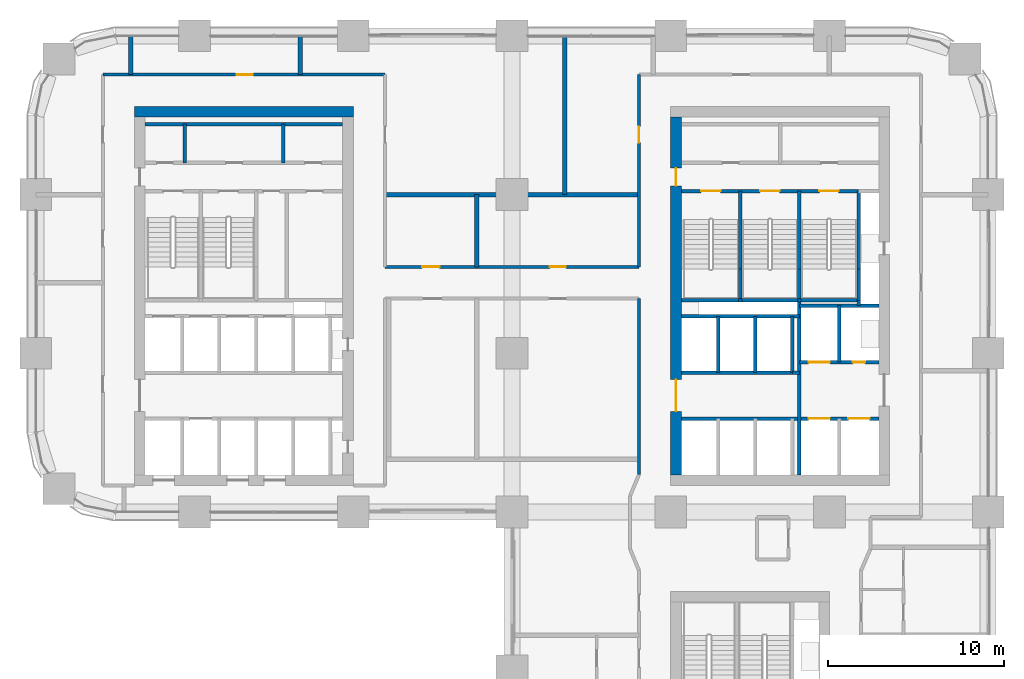
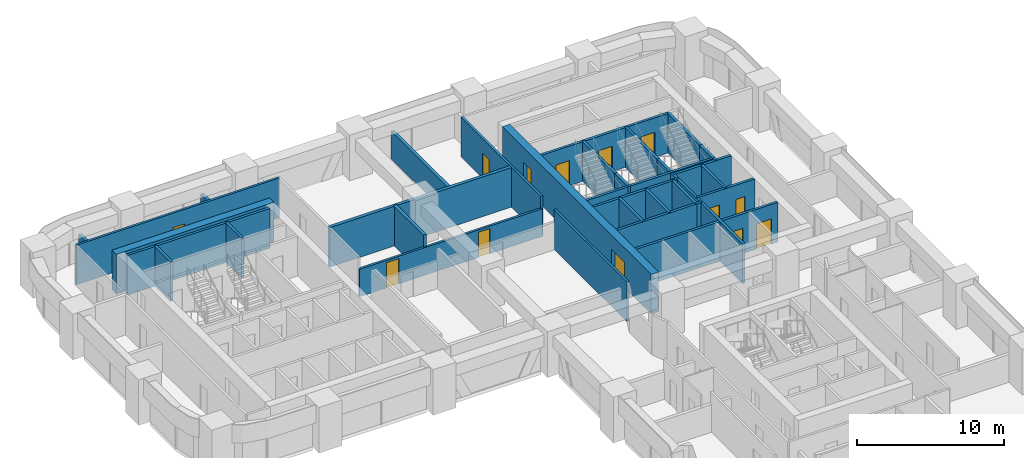
# One storey, part 16 of 20: 38 walls, 13 doors, 13 openings.
"""IFC4 building model written with IfcOpenShell, lengths in metres."""

from ifc_helpers import new_model, si_unit, direction, frame, frame_2d, origin, place, context, subcontext, project, spatial, rectangle, extrude, material, layer, layer_set, type_object, element, fill, save


model = new_model("IFC4")

# Units and contexts
model_context = context("Model", 3, precision=1e-05, world=origin(), true_north=direction((0.0, 1.0)))
body_context = subcontext(model_context, "Body", "Model", "MODEL_VIEW")
ifc_project = project(units=[si_unit("LENGTHUNIT", "METRE"), si_unit("AREAUNIT", "SQUARE_METRE"), si_unit("VOLUMEUNIT", "CUBIC_METRE"), si_unit("PLANEANGLEUNIT", "RADIAN"), si_unit("MASSUNIT", "GRAM", prefix="KILO")], contexts=[model_context])

# Site, building, storey
site_placement = place(None, origin())
site = spatial("IfcSite", under=ifc_project, at=site_placement, CompositionType="ELEMENT")
building_placement = place(site_placement, origin())
building = spatial("IfcBuilding", under=site, at=building_placement, Name="Tessera Arch", CompositionType="ELEMENT")
storey_placement = place(building_placement, frame((0.0, 0.0, 119.60009765625)))
storey = spatial("IfcBuildingStorey", under=building, at=storey_placement, Name="L28", CompositionType="ELEMENT", Elevation=119.60009765625)

# Walls
ifc_material_1 = material(Name="Gypsum board on steel stud", Category="steel")
ifc_layer_1 = layer(ifc_material_1, 0.125)
ifc_layer_set_1 = layer_set([ifc_layer_1], Name="Core partition 125 EI 60")
wall_type_1 = type_object("IfcWallType", Name="Core partition 125 EI 60", PredefinedType="PARTITIONING", material=ifc_layer_set_1)
wall_1_placement = place(storey_placement, frame((42.89990234375, 34.89990234375, 0.0), z_axis=(0.0, 0.0, 1.0), x_axis=(1.0, 0.0, 0.0)))
element("IfcWall", 1, at=wall_1_placement, inside=storey, type_object=wall_type_1, Name="L28 C1 partition wall 19", PredefinedType="PARTITIONING", context=body_context, shape_type="SweptSolid", body=[
    extrude(rectangle(XDim=0.400146484375, YDim=0.199951171875, at=frame_2d((0.2001953125, 0.0))), origin(), (0.0, 0.0, 1.0), 3.2998046875),
])
for number, where, z_axis, x_axis, name in (
    (2, (8.43994140625, 46.800048828125, 0.0), (0.0, 0.0, 1.0), (0.0, 1.0, 0.0), "L28 C2 partition wall 3"),
    (3, (14.0400390625, 46.800048828125, 0.0), (0.0, 0.0, 1.0), (0.0, 1.0, 0.0), "L28 C2 partition wall 12"),
):
    element("IfcWall", number, at=place(storey_placement, frame(where, z_axis=z_axis, x_axis=x_axis)), inside=storey, type_object=wall_type_1, Name=name, PredefinedType="PARTITIONING", context=body_context, shape_type="SweptSolid", body=[
        extrude(rectangle(XDim=2.199951171875, YDim=0.199951171875, at=frame_2d((1.10009765625, 0.0))), origin(), (0.0, 0.0, 1.0), 3.2998046875),
    ])
wall_2_placement = place(storey_placement, frame((6.199951171875, 49.0, 0.0), z_axis=(0.0, 0.0, 1.0), x_axis=(1.0, 0.0, 0.0)))
element("IfcWall", 4, at=wall_2_placement, inside=storey, type_object=wall_type_1, Name="L28 C2 partition wall 28", PredefinedType="PARTITIONING", context=body_context, shape_type="SweptSolid", body=[
    extrude(rectangle(XDim=11.199951171875, YDim=0.199951171875, at=frame_2d((5.60009765625, 0.0))), origin(), (0.0, 0.0, 1.0), 3.2998046875),
])

# Wall, openings, doors
ifc_material_2 = material(Name="Concrete C70/85", Category="concrete")
ifc_layer_2 = layer(ifc_material_2, 0.60009765625)
ifc_layer_set_2 = layer_set([ifc_layer_2], Name="Core shell wall 600 C70-85")
wall_type_2 = type_object("IfcWallType", Name="Core shell wall 600 C70-85", PredefinedType="SHEAR", material=ifc_layer_set_2)
wall_3_placement = place(storey_placement, frame((36.300048828125, 29.10009765625, 0.0), z_axis=(0.0, 0.0, 1.0), x_axis=(0.0, 1.0, 0.0)))
wall_3 = element("IfcWall", 5, at=wall_3_placement, inside=storey, type_object=wall_type_2, Name="L28 C1 core wall W", PredefinedType="SHEAR", context=body_context, shape_type="SweptSolid", body=[
    extrude(rectangle(XDim=20.2998046875, YDim=0.60009765625, at=frame_2d((10.14990234375, 0.0))), origin(), (0.0, 0.0, 1.0), 3.2998046875),
])
opening_1_placement = place(wall_3_placement, frame((3.60009765625, 0.0, 0.0)))
opening_1 = element("IfcOpeningElement", 6, at=opening_1_placement, cuts=wall_3, Name="Opening L28-C04", PredefinedType="OPENING", context=body_context, shape_type="SweptSolid", body=[
    extrude(rectangle(XDim=1.800048828125, YDim=2.10009765625, at=frame_2d((0.89990234375, 1.050048828125))), frame((0.0, 0.31005859375, 0.0), z_axis=(0.0, -1.0, 0.0), x_axis=(1.0, 0.0, 0.0)), (0.0, 0.0, 1.0), 0.6201171875),
])
opening_2_placement = place(wall_3_placement, frame((16.39990234375, 0.0, 0.0)))
opening_2 = element("IfcOpeningElement", 7, at=opening_2_placement, cuts=wall_3, Name="Opening L28-C11", PredefinedType="OPENING", context=body_context, shape_type="SweptSolid", body=[
    extrude(rectangle(XDim=1.0, YDim=2.10009765625, at=frame_2d((0.5, 1.050048828125))), frame((0.0, 0.31005859375, 0.0), z_axis=(0.0, -1.0, 0.0), x_axis=(1.0, 0.0, 0.0)), (0.0, 0.0, 1.0), 0.6201171875),
])
ifc_material_3 = material(Name="Steel door leaf", Category="steel")
door_type_1 = type_object("IfcDoorType", Name="Corridor door FD60 1000 x 2100", OperationType="SINGLE_SWING_LEFT", PredefinedType="DOOR", material=ifc_material_3)
door_1_placement = place(opening_2_placement, origin())
door_1 = element("IfcDoor", 8, at=door_1_placement, inside=storey, type_object=door_type_1, Name="L28 C1 door 11 C11 type D12", OperationType="SINGLE_SWING_RIGHT", OverallHeight=2.10009765625, OverallWidth=1.0, PredefinedType="DOOR", context=body_context, shape_type="SweptSolid", body=[
    extrude(rectangle(XDim=1.0, YDim=2.10009765625, at=frame_2d((0.5, 1.050048828125))), frame((0.0, 0.02490234375, 0.0), z_axis=(0.0, -1.0, 0.0), x_axis=(1.0, 0.0, 0.0)), (0.0, 0.0, 1.0), 0.050048828125),
])
fill(opening_2, door_1)
ifc_material_4 = material(Name="Glazed steel door leaf", Category="steel")
door_type_2 = type_object("IfcDoorType", Name="Lobby double door FD30S 1800 x 2100", OperationType="DOUBLE_DOOR_SINGLE_SWING", PredefinedType="DOOR", material=ifc_material_4)
door_2_placement = place(opening_1_placement, origin())
door_2 = element("IfcDoor", 9, at=door_2_placement, inside=storey, type_object=door_type_2, Name="L28 C1 door 4 C04 type D06", OperationType="DOUBLE_DOOR_SINGLE_SWING", OverallHeight=2.10009765625, OverallWidth=1.800048828125, PredefinedType="DOOR", context=body_context, shape_type="SweptSolid", body=[
    extrude(rectangle(XDim=1.800048828125, YDim=2.10009765625, at=frame_2d((0.89990234375, 1.050048828125))), frame((0.0, 0.02490234375, 0.0), z_axis=(0.0, -1.0, 0.0), x_axis=(1.0, 0.0, 0.0)), (0.0, 0.0, 1.0), 0.050048828125),
])
fill(opening_1, door_2)

# Wall
wall_4_placement = place(storey_placement, frame((5.60009765625, 49.699951171875, 0.0), z_axis=(0.0, 0.0, 1.0), x_axis=(1.0, 0.0, 0.0)))
element("IfcWall", 10, at=wall_4_placement, inside=storey, type_object=wall_type_2, Name="L28 C2 core wall N", PredefinedType="SHEAR", context=body_context, shape_type="SweptSolid", body=[
    extrude(rectangle(XDim=12.39990234375, YDim=0.60009765625, at=frame_2d((6.199951171875, 0.0))), origin(), (0.0, 0.0, 1.0), 3.2998046875),
])

# Wall, openings, doors
ifc_material_5 = material(Name="Gypsum board on deep steel stud with mineral wool", Category="steel")
ifc_layer_3 = layer(ifc_material_5, 0.175048828125)
ifc_layer_set_3 = layer_set([ifc_layer_3], Name="Corridor wall 175 EI 60")
wall_type_3 = type_object("IfcWallType", Name="Corridor wall 175 EI 60", PredefinedType="PARTITIONING", material=ifc_layer_set_3)
wall_5_placement = place(storey_placement, frame((19.800048828125, 40.89990234375, 0.0), z_axis=(0.0, 0.0, 1.0), x_axis=(1.0, 0.0, 0.0)))
wall_5 = element("IfcWall", 11, at=wall_5_placement, inside=storey, type_object=wall_type_3, Name="L28 partition 8", PredefinedType="PARTITIONING", context=body_context, shape_type="SweptSolid", body=[
    extrude(rectangle(XDim=14.39990234375, YDim=0.175048828125, at=frame_2d((7.199951171875, 0.0))), origin(), (0.0, 0.0, 1.0), 2.2998046875),
])
opening_3_placement = place(wall_5_placement, frame((2.10009765625, 0.0, 0.0)))
opening_3 = element("IfcOpeningElement", 12, at=opening_3_placement, cuts=wall_5, Name="Opening L28-D026", PredefinedType="OPENING", context=body_context, shape_type="SweptSolid", body=[
    extrude(rectangle(XDim=1.0, YDim=2.10009765625, at=frame_2d((0.5, 1.050048828125))), frame((0.0, 0.097412109375, 0.0), z_axis=(0.0, -1.0, 0.0), x_axis=(1.0, 0.0, 0.0)), (0.0, 0.0, 1.0), 0.195068359375),
])
opening_4_placement = place(wall_5_placement, frame((9.35009765625, 0.0, 0.0)))
opening_4 = element("IfcOpeningElement", 13, at=opening_4_placement, cuts=wall_5, Name="Opening L28-D027", PredefinedType="OPENING", context=body_context, shape_type="SweptSolid", body=[
    extrude(rectangle(XDim=0.89990234375, YDim=2.10009765625, at=frame_2d((0.449951171875, 1.050048828125))), frame((0.0, 0.097412109375, 0.0), z_axis=(0.0, -1.0, 0.0), x_axis=(1.0, 0.0, 0.0)), (0.0, 0.0, 1.0), 0.195068359375),
])
ifc_material_6 = material(Name="Fire-rated door leaf")
door_type_3 = type_object("IfcDoorType", Name="Entrance door FD30S 1000 x 2100", OperationType="SINGLE_SWING_LEFT", PredefinedType="DOOR", material=ifc_material_6)
door_3_placement = place(opening_3_placement, origin())
door_3 = element("IfcDoor", 14, at=door_3_placement, inside=storey, type_object=door_type_3, Name="L28 door D026 type D03", OperationType="SINGLE_SWING_LEFT", OverallHeight=2.10009765625, OverallWidth=1.0, PredefinedType="DOOR", context=body_context, shape_type="SweptSolid", body=[
    extrude(rectangle(XDim=1.0, YDim=2.10009765625, at=frame_2d((0.5, 1.050048828125))), frame((0.0, 0.02490234375, 0.0), z_axis=(0.0, -1.0, 0.0), x_axis=(1.0, 0.0, 0.0)), (0.0, 0.0, 1.0), 0.050048828125),
])
fill(opening_3, door_3)
ifc_material_7 = material(Name="Timber door leaf", Category="wood")
door_type_4 = type_object("IfcDoorType", Name="Room door 900 x 2100", OperationType="SINGLE_SWING_LEFT", PredefinedType="DOOR", material=ifc_material_7)
door_4_placement = place(opening_4_placement, origin())
door_4 = element("IfcDoor", 15, at=door_4_placement, inside=storey, type_object=door_type_4, Name="L28 door D027 type D01", OperationType="SINGLE_SWING_RIGHT", OverallHeight=2.10009765625, OverallWidth=0.89990234375, PredefinedType="DOOR", context=body_context, shape_type="SweptSolid", body=[
    extrude(rectangle(XDim=0.89990234375, YDim=2.10009765625, at=frame_2d((0.449951171875, 1.050048828125))), frame((0.0, 0.02490234375, 0.0), z_axis=(0.0, -1.0, 0.0), x_axis=(1.0, 0.0, 0.0)), (0.0, 0.0, 1.0), 0.050048828125),
])
fill(opening_4, door_4)

# Wall, opening, door
wall_6_placement = place(storey_placement, frame((3.800048828125, 51.800048828125, 0.0), z_axis=(0.0, 0.0, 1.0), x_axis=(1.0, 0.0, 0.0)))
wall_6 = element("IfcWall", 16, at=wall_6_placement, inside=storey, type_object=wall_type_3, Name="L28 partition 9", PredefinedType="PARTITIONING", context=body_context, shape_type="SweptSolid", body=[
    extrude(rectangle(XDim=16.0, YDim=0.175048828125, at=frame_2d((8.0, 0.0))), origin(), (0.0, 0.0, 1.0), 3.2998046875),
])
opening_5_placement = place(wall_6_placement, frame((7.587158203125, 0.0, 0.0)))
opening_5 = element("IfcOpeningElement", 17, at=opening_5_placement, cuts=wall_6, Name="Opening L28-D032", PredefinedType="OPENING", context=body_context, shape_type="SweptSolid", body=[
    extrude(rectangle(XDim=0.89990234375, YDim=2.10009765625, at=frame_2d((0.449951171875, 1.050048828125))), frame((0.0, 0.097412109375, 0.0), z_axis=(0.0, -1.0, 0.0), x_axis=(1.0, 0.0, 0.0)), (0.0, 0.0, 1.0), 0.195068359375),
])
door_5_placement = place(opening_5_placement, origin())
door_5 = element("IfcDoor", 18, at=door_5_placement, inside=storey, type_object=door_type_4, Name="L28 door D032 type D01", OperationType="SINGLE_SWING_LEFT", OverallHeight=2.10009765625, OverallWidth=0.89990234375, PredefinedType="DOOR", context=body_context, shape_type="SweptSolid", body=[
    extrude(rectangle(XDim=0.89990234375, YDim=2.10009765625, at=frame_2d((0.449951171875, 1.050048828125))), frame((0.0, 0.02490234375, 0.0), z_axis=(0.0, -1.0, 0.0), x_axis=(1.0, 0.0, 0.0)), (0.0, 0.0, 1.0), 0.050048828125),
])
fill(opening_5, door_5)

# Wall
wall_7_placement = place(storey_placement, frame((34.199951171875, 29.1201171875, 0.0), z_axis=(0.0, 0.0, 1.0), x_axis=(0.0, 1.0, 0.0)))
element("IfcWall", 19, at=wall_7_placement, inside=storey, type_object=wall_type_3, Name="L28 partition 16", PredefinedType="PARTITIONING", context=body_context, shape_type="SweptSolid", body=[
    extrude(rectangle(XDim=9.97998046875, YDim=0.175048828125, at=frame_2d((4.989990234375, 0.0))), origin(), (0.0, 0.0, 1.0), 3.2998046875),
])

# Wall, opening, door
wall_8_placement = place(storey_placement, frame((34.199951171875, 40.89990234375, 0.0), z_axis=(0.0, 0.0, 1.0), x_axis=(0.0, 1.0, 0.0)))
wall_8 = element("IfcWall", 20, at=wall_8_placement, inside=storey, type_object=wall_type_3, Name="L28 partition 17", PredefinedType="PARTITIONING", context=body_context, shape_type="SweptSolid", body=[
    extrude(rectangle(XDim=10.900146484375, YDim=0.175048828125, at=frame_2d((5.4501953125, 0.0))), origin(), (0.0, 0.0, 1.0), 3.2998046875),
])
opening_6_placement = place(wall_8_placement, frame((7.050048828125, 0.0, 0.0)))
opening_6 = element("IfcOpeningElement", 21, at=opening_6_placement, cuts=wall_8, Name="Opening L28-D029", PredefinedType="OPENING", context=body_context, shape_type="SweptSolid", body=[
    extrude(rectangle(XDim=0.89990234375, YDim=2.10009765625, at=frame_2d((0.449951171875, 1.050048828125))), frame((0.0, 0.097412109375, 0.0), z_axis=(0.0, -1.0, 0.0), x_axis=(1.0, 0.0, 0.0)), (0.0, 0.0, 1.0), 0.195068359375),
])
door_6_placement = place(opening_6_placement, origin())
door_6 = element("IfcDoor", 22, at=door_6_placement, inside=storey, type_object=door_type_4, Name="L28 door D029 type D01", OperationType="SINGLE_SWING_RIGHT", OverallHeight=2.10009765625, OverallWidth=0.89990234375, PredefinedType="DOOR", context=body_context, shape_type="SweptSolid", body=[
    extrude(rectangle(XDim=0.89990234375, YDim=2.10009765625, at=frame_2d((0.449951171875, 1.050048828125))), frame((0.0, 0.02490234375, 0.0), z_axis=(0.0, -1.0, 0.0), x_axis=(1.0, 0.0, 0.0)), (0.0, 0.0, 1.0), 0.050048828125),
])
fill(opening_6, door_6)

# Walls
ifc_material_8 = material(Name="Double gypsum board on twin steel stud with acoustic mineral wool", Category="steel")
ifc_layer_4 = layer(ifc_material_8, 0.25)
ifc_layer_set_4 = layer_set([ifc_layer_4], Name="Party wall 250 EI 60")
wall_type_4 = type_object("IfcWallType", Name="Party wall 250 EI 60", PredefinedType="PARTITIONING", material=ifc_layer_set_4)
wall_9_placement = place(storey_placement, frame((19.800048828125, 45.0, 0.0), z_axis=(0.0, 0.0, 1.0), x_axis=(1.0, 0.0, 0.0)))
element("IfcWall", 23, at=wall_9_placement, inside=storey, type_object=wall_type_4, Name="L28 partition 38", PredefinedType="PARTITIONING", context=body_context, shape_type="SweptSolid", body=[
    extrude(rectangle(XDim=14.39990234375, YDim=0.25, at=frame_2d((7.199951171875, 0.0))), origin(), (0.0, 0.0, 1.0), 3.2998046875),
])
for number, where, z_axis, x_axis, name in (
    (24, (5.389892578125, 51.800048828125, 0.0), (0.0, 0.0, 1.0), (0.0, 1.0, 0.0), "L28 partition 41"),
    (25, (15.0, 51.800048828125, 0.0), (0.0, 0.0, 1.0), (0.0, 1.0, 0.0), "L28 partition 42"),
):
    element("IfcWall", number, at=place(storey_placement, frame(where, z_axis=z_axis, x_axis=x_axis)), inside=storey, type_object=wall_type_4, Name=name, PredefinedType="PARTITIONING", context=body_context, shape_type="SweptSolid", body=[
        extrude(rectangle(XDim=2.199951171875, YDim=0.25, at=frame_2d((1.10009765625, 0.0))), origin(), (0.0, 0.0, 1.0), 2.2998046875),
    ])
wall_10_placement = place(storey_placement, frame((25.0, 40.89990234375, 0.0), z_axis=(0.0, 0.0, 1.0), x_axis=(0.0, 1.0, 0.0)))
element("IfcWall", 26, at=wall_10_placement, inside=storey, type_object=wall_type_4, Name="L28 partition 45", PredefinedType="PARTITIONING", context=body_context, shape_type="SweptSolid", body=[
    extrude(rectangle(XDim=4.10009765625, YDim=0.25, at=frame_2d((2.050048828125, 0.0))), origin(), (0.0, 0.0, 1.0), 3.2998046875),
])
wall_11_placement = place(storey_placement, frame((30.0, 45.0, 0.0), z_axis=(0.0, 0.0, 1.0), x_axis=(0.0, 1.0, 0.0)))
element("IfcWall", 27, at=wall_11_placement, inside=storey, type_object=wall_type_4, Name="L28 partition 46", PredefinedType="PARTITIONING", context=body_context, shape_type="SweptSolid", body=[
    extrude(rectangle(XDim=9.0, YDim=0.25, at=frame_2d((4.5, 0.0))), origin(), (0.0, 0.0, 1.0), 2.2998046875),
])
ifc_material_9 = material(Name="Concrete C40/50", Category="concrete")
ifc_layer_5 = layer(ifc_material_9, 0.199951171875)
ifc_layer_set_5 = layer_set([ifc_layer_5], Name="Shaft wall 200 EI 120")
wall_type_5 = type_object("IfcWallType", Name="Shaft wall 200 EI 120", PredefinedType="SOLIDWALL", material=ifc_layer_set_5)
for number, where, z_axis, x_axis, name in (
    (28, (38.699951171875, 34.89990234375, 0.0), (0.0, 0.0, 1.0), (0.0, 1.0, 0.0), "L28 C1 shaft wall 2"),
    (29, (40.800048828125, 34.89990234375, 0.0), (0.0, 0.0, 1.0), (0.0, 1.0, 0.0), "L28 C1 shaft wall 6"),
    (30, (42.89990234375, 34.89990234375, 0.0), (0.0, 0.0, 1.0), (0.0, 1.0, 0.0), "L28 C1 shaft wall 9"),
):
    element("IfcWall", number, at=place(storey_placement, frame(where, z_axis=z_axis, x_axis=x_axis)), inside=storey, type_object=wall_type_5, Name=name, PredefinedType="SOLIDWALL", context=body_context, shape_type="SweptSolid", body=[
        extrude(rectangle(XDim=3.2001953125, YDim=0.199951171875, at=frame_2d((1.60009765625, 0.0))), origin(), (0.0, 0.0, 1.0), 3.2998046875),
    ])
wall_12_placement = place(storey_placement, frame((43.300048828125, 29.10009765625, 0.0), z_axis=(0.0, 0.0, 1.0), x_axis=(0.0, 1.0, 0.0)))
element("IfcWall", 31, at=wall_12_placement, inside=storey, type_object=wall_type_5, Name="L28 C1 shaft wall 10", PredefinedType="SOLIDWALL", context=body_context, shape_type="SweptSolid", body=[
    extrude(rectangle(XDim=9.89990234375, YDim=0.199951171875, at=frame_2d((4.949951171875, 0.0))), origin(), (0.0, 0.0, 1.0), 3.2998046875),
])
wall_13_placement = place(storey_placement, frame((45.550048828125, 35.5, 0.0), z_axis=(0.0, 0.0, 1.0), x_axis=(0.0, 1.0, 0.0)))
element("IfcWall", 32, at=wall_13_placement, inside=storey, type_object=wall_type_5, Name="L28 C1 shaft wall 14", PredefinedType="SOLIDWALL", context=body_context, shape_type="SweptSolid", body=[
    extrude(rectangle(XDim=3.199951171875, YDim=0.199951171875, at=frame_2d((1.60009765625, 0.0))), origin(), (0.0, 0.0, 1.0), 3.2998046875),
])
wall_14_placement = place(storey_placement, frame((46.64990234375, 38.699951171875, 0.0), z_axis=(0.0, 0.0, 1.0), x_axis=(0.0, 1.0, 0.0)))
element("IfcWall", 33, at=wall_14_placement, inside=storey, type_object=wall_type_5, Name="L28 C1 shaft wall 15", PredefinedType="SOLIDWALL", context=body_context, shape_type="SweptSolid", body=[
    extrude(rectangle(XDim=0.300048828125, YDim=0.199951171875, at=frame_2d((0.14990234375, 0.0))), origin(), (0.0, 0.0, 1.0), 3.2998046875),
])

# Wall, openings, doors
wall_15_placement = place(storey_placement, frame((36.60009765625, 32.300048828125, 0.0), z_axis=(0.0, 0.0, 1.0), x_axis=(1.0, 0.0, 0.0)))
wall_15 = element("IfcWall", 34, at=wall_15_placement, inside=storey, type_object=wall_type_5, Name="L28 C1 shaft wall 18", PredefinedType="SOLIDWALL", context=body_context, shape_type="SweptSolid", body=[
    extrude(rectangle(XDim=11.199951171875, YDim=0.199951171875, at=frame_2d((5.60009765625, 0.0))), origin(), (0.0, 0.0, 1.0), 3.2998046875),
])
opening_7_placement = place(wall_15_placement, frame((7.22509765625, 0.0, 0.0)))
opening_7 = element("IfcOpeningElement", 35, at=opening_7_placement, cuts=wall_15, Name="Opening L28-C01", PredefinedType="OPENING", context=body_context, shape_type="SweptSolid", body=[
    extrude(rectangle(XDim=1.199951171875, YDim=2.10009765625, at=frame_2d((0.60009765625, 1.050048828125))), frame((0.0, 0.10986328125, 0.0), z_axis=(0.0, -1.0, 0.0), x_axis=(1.0, 0.0, 0.0)), (0.0, 0.0, 1.0), 0.219970703125),
])
opening_8_placement = place(wall_15_placement, frame((9.47509765625, 0.0, 0.0)))
opening_8 = element("IfcOpeningElement", 36, at=opening_8_placement, cuts=wall_15, Name="Opening L28-C02", PredefinedType="OPENING", context=body_context, shape_type="SweptSolid", body=[
    extrude(rectangle(XDim=1.199951171875, YDim=2.10009765625, at=frame_2d((0.60009765625, 1.050048828125))), frame((0.0, 0.10986328125, 0.0), z_axis=(0.0, -1.0, 0.0), x_axis=(1.0, 0.0, 0.0)), (0.0, 0.0, 1.0), 0.219970703125),
])
ifc_material_10 = material(Name="Stainless steel AISI 304", Category="steel")
door_type_5 = type_object("IfcDoorType", Name="Sliding landing door 1200 x 2100", OperationType="SLIDING_TO_LEFT", PredefinedType="DOOR", material=ifc_material_10)
door_7_placement = place(opening_7_placement, origin())
door_7 = element("IfcDoor", 37, at=door_7_placement, inside=storey, type_object=door_type_5, Name="L28 FF1 lift landing door C01 type LD", OperationType="SLIDING_TO_LEFT", OverallHeight=2.10009765625, OverallWidth=1.199951171875, PredefinedType="DOOR", context=body_context, shape_type="SweptSolid", body=[
    extrude(rectangle(XDim=1.199951171875, YDim=2.10009765625, at=frame_2d((0.60009765625, 1.050048828125))), frame((0.0, 0.02490234375, 0.0), z_axis=(0.0, -1.0, 0.0), x_axis=(1.0, 0.0, 0.0)), (0.0, 0.0, 1.0), 0.050048828125),
])
fill(opening_7, door_7)
door_8_placement = place(opening_8_placement, origin())
door_8 = element("IfcDoor", 38, at=door_8_placement, inside=storey, type_object=door_type_5, Name="L28 FF2 lift landing door C02 type LD", OperationType="SLIDING_TO_LEFT", OverallHeight=2.10009765625, OverallWidth=1.199951171875, PredefinedType="DOOR", context=body_context, shape_type="SweptSolid", body=[
    extrude(rectangle(XDim=1.199951171875, YDim=2.10009765625, at=frame_2d((0.60009765625, 1.050048828125))), frame((0.0, 0.02490234375, 0.0), z_axis=(0.0, -1.0, 0.0), x_axis=(1.0, 0.0, 0.0)), (0.0, 0.0, 1.0), 0.050048828125),
])
fill(opening_8, door_8)

# Wall
wall_16_placement = place(storey_placement, frame((36.60009765625, 34.89990234375, 0.0), z_axis=(0.0, 0.0, 1.0), x_axis=(1.0, 0.0, 0.0)))
element("IfcWall", 39, at=wall_16_placement, inside=storey, type_object=wall_type_5, Name="L28 C1 shaft wall 20", PredefinedType="SOLIDWALL", context=body_context, shape_type="SweptSolid", body=[
    extrude(rectangle(XDim=6.2998046875, YDim=0.199951171875, at=frame_2d((3.14990234375, 0.0))), origin(), (0.0, 0.0, 1.0), 3.2998046875),
])

# Wall, openings, doors
wall_17_placement = place(storey_placement, frame((43.300048828125, 35.5, 0.0), z_axis=(0.0, 0.0, 1.0), x_axis=(1.0, 0.0, 0.0)))
wall_17 = element("IfcWall", 40, at=wall_17_placement, inside=storey, type_object=wall_type_5, Name="L28 C1 shaft wall 21", PredefinedType="SOLIDWALL", context=body_context, shape_type="SweptSolid", body=[
    extrude(rectangle(XDim=4.5, YDim=0.199951171875, at=frame_2d((2.25, 0.0))), origin(), (0.0, 0.0, 1.0), 3.2998046875),
])
opening_9_placement = place(wall_17_placement, frame((0.52490234375, 0.0, 0.0)))
opening_9 = element("IfcOpeningElement", 41, at=opening_9_placement, cuts=wall_17, Name="Opening L28-C03", PredefinedType="OPENING", context=body_context, shape_type="SweptSolid", body=[
    extrude(rectangle(XDim=1.199951171875, YDim=2.10009765625, at=frame_2d((0.60009765625, 1.050048828125))), frame((0.0, 0.10986328125, 0.0), z_axis=(0.0, -1.0, 0.0), x_axis=(1.0, 0.0, 0.0)), (0.0, 0.0, 1.0), 0.219970703125),
])
opening_10_placement = place(wall_17_placement, frame((3.02490234375, 0.0, 0.0)))
opening_10 = element("IfcOpeningElement", 42, at=opening_10_placement, cuts=wall_17, Name="Opening L28-C10", PredefinedType="OPENING", context=body_context, shape_type="SweptSolid", body=[
    extrude(rectangle(XDim=0.699951171875, YDim=2.10009765625, at=frame_2d((0.35009765625, 1.050048828125))), frame((0.0, 0.10986328125, 0.0), z_axis=(0.0, -1.0, 0.0), x_axis=(1.0, 0.0, 0.0)), (0.0, 0.0, 1.0), 0.219970703125),
])
ifc_material_11 = material(Name="Steel door leaf", Category="steel")
door_type_6 = type_object("IfcDoorType", Name="Service shaft door FD60 700 x 2100", OperationType="SINGLE_SWING_LEFT", PredefinedType="DOOR", material=ifc_material_11)
door_9_placement = place(opening_10_placement, origin())
door_9 = element("IfcDoor", 43, at=door_9_placement, inside=storey, type_object=door_type_6, Name="L28 C1 door 10 C10 type D07", OperationType="SINGLE_SWING_RIGHT", OverallHeight=2.10009765625, OverallWidth=0.699951171875, PredefinedType="DOOR", context=body_context, shape_type="SweptSolid", body=[
    extrude(rectangle(XDim=0.699951171875, YDim=2.10009765625, at=frame_2d((0.35009765625, 1.050048828125))), frame((0.0, 0.02490234375, 0.0), z_axis=(0.0, -1.0, 0.0), x_axis=(1.0, 0.0, 0.0)), (0.0, 0.0, 1.0), 0.050048828125),
])
fill(opening_10, door_9)
door_10_placement = place(opening_9_placement, origin())
door_10 = element("IfcDoor", 44, at=door_10_placement, inside=storey, type_object=door_type_5, Name="L28 SV2 lift landing door C03 type LD", OperationType="SLIDING_TO_LEFT", OverallHeight=2.10009765625, OverallWidth=1.199951171875, PredefinedType="DOOR", context=body_context, shape_type="SweptSolid", body=[
    extrude(rectangle(XDim=1.199951171875, YDim=2.10009765625, at=frame_2d((0.60009765625, 1.050048828125))), frame((0.0, 0.02490234375, 0.0), z_axis=(0.0, -1.0, 0.0), x_axis=(1.0, 0.0, 0.0)), (0.0, 0.0, 1.0), 0.050048828125),
])
fill(opening_9, door_10)

# Walls
wall_18_placement = place(storey_placement, frame((36.60009765625, 38.10009765625, 0.0), z_axis=(0.0, 0.0, 1.0), x_axis=(1.0, 0.0, 0.0)))
element("IfcWall", 45, at=wall_18_placement, inside=storey, type_object=wall_type_5, Name="L28 C1 shaft wall 22", PredefinedType="SOLIDWALL", context=body_context, shape_type="SweptSolid", body=[
    extrude(rectangle(XDim=6.699951171875, YDim=0.199951171875, at=frame_2d((3.35009765625, 0.0))), origin(), (0.0, 0.0, 1.0), 3.2998046875),
])
wall_19_placement = place(storey_placement, frame((43.300048828125, 38.699951171875, 0.0), z_axis=(0.0, 0.0, 1.0), x_axis=(1.0, 0.0, 0.0)))
element("IfcWall", 46, at=wall_19_placement, inside=storey, type_object=wall_type_5, Name="L28 C1 shaft wall 23", PredefinedType="SOLIDWALL", context=body_context, shape_type="SweptSolid", body=[
    extrude(rectangle(XDim=4.5, YDim=0.199951171875, at=frame_2d((2.25, 0.0))), origin(), (0.0, 0.0, 1.0), 3.2998046875),
])
ifc_material_12 = material(Name="Concrete C40/50", Category="concrete")
ifc_layer_6 = layer(ifc_material_12, 0.199951171875)
ifc_layer_set_6 = layer_set([ifc_layer_6], Name="Stair well wall 200 REI 180")
wall_type_6 = type_object("IfcWallType", Name="Stair well wall 200 REI 180", PredefinedType="SOLIDWALL", material=ifc_layer_set_6)
wall_20_placement = place(storey_placement, frame((39.949951171875, 39.0, 0.0), z_axis=(0.0, 0.0, 1.0), x_axis=(0.0, 1.0, 0.0)))
element("IfcWall", 47, at=wall_20_placement, inside=storey, type_object=wall_type_6, Name="L28 C1 shaft wall 3", PredefinedType="SOLIDWALL", context=body_context, shape_type="SweptSolid", body=[
    extrude(rectangle(XDim=1.780029296875, YDim=0.199951171875, at=frame_2d((0.89013671875, 0.0))), origin(), (0.0, 0.0, 1.0), 3.2998046875),
])
wall_21_placement = place(storey_placement, frame((39.949951171875, 40.780029296875, 0.0), z_axis=(0.0, 0.0, 1.0), x_axis=(0.0, 1.0, 0.0)))
element("IfcWall", 48, at=wall_21_placement, inside=storey, type_object=wall_type_6, Name="L28 C1 shaft wall 4", PredefinedType="SOLIDWALL", context=body_context, shape_type="SweptSolid", body=[
    extrude(rectangle(XDim=4.419921875, YDim=0.199951171875, at=frame_2d((2.2099609375, 0.0))), origin(), (0.0, 0.0, 1.0), 3.2998046875),
])
wall_22_placement = place(storey_placement, frame((43.300048828125, 39.0, 0.0), z_axis=(0.0, 0.0, 1.0), x_axis=(0.0, 1.0, 0.0)))
element("IfcWall", 49, at=wall_22_placement, inside=storey, type_object=wall_type_6, Name="L28 C1 shaft wall 11", PredefinedType="SOLIDWALL", context=body_context, shape_type="SweptSolid", body=[
    extrude(rectangle(XDim=1.780029296875, YDim=0.199951171875, at=frame_2d((0.89013671875, 0.0))), origin(), (0.0, 0.0, 1.0), 3.2998046875),
])
wall_23_placement = place(storey_placement, frame((43.300048828125, 40.780029296875, 0.0), z_axis=(0.0, 0.0, 1.0), x_axis=(0.0, 1.0, 0.0)))
element("IfcWall", 50, at=wall_23_placement, inside=storey, type_object=wall_type_6, Name="L28 C1 shaft wall 12", PredefinedType="SOLIDWALL", context=body_context, shape_type="SweptSolid", body=[
    extrude(rectangle(XDim=4.419921875, YDim=0.199951171875, at=frame_2d((2.2099609375, 0.0))), origin(), (0.0, 0.0, 1.0), 3.2998046875),
])
wall_24_placement = place(storey_placement, frame((46.64990234375, 39.0, 0.0), z_axis=(0.0, 0.0, 1.0), x_axis=(0.0, 1.0, 0.0)))
element("IfcWall", 51, at=wall_24_placement, inside=storey, type_object=wall_type_6, Name="L28 C1 shaft wall 16", PredefinedType="SOLIDWALL", context=body_context, shape_type="SweptSolid", body=[
    extrude(rectangle(XDim=1.780029296875, YDim=0.199951171875, at=frame_2d((0.89013671875, 0.0))), origin(), (0.0, 0.0, 1.0), 3.2998046875),
])
wall_25_placement = place(storey_placement, frame((46.64990234375, 40.780029296875, 0.0), z_axis=(0.0, 0.0, 1.0), x_axis=(0.0, 1.0, 0.0)))
element("IfcWall", 52, at=wall_25_placement, inside=storey, type_object=wall_type_6, Name="L28 C1 shaft wall 17", PredefinedType="SOLIDWALL", context=body_context, shape_type="SweptSolid", body=[
    extrude(rectangle(XDim=4.419921875, YDim=0.199951171875, at=frame_2d((2.2099609375, 0.0))), origin(), (0.0, 0.0, 1.0), 3.2998046875),
])
wall_26_placement = place(storey_placement, frame((36.60009765625, 39.0, 0.0), z_axis=(0.0, 0.0, 1.0), x_axis=(1.0, 0.0, 0.0)))
element("IfcWall", 53, at=wall_26_placement, inside=storey, type_object=wall_type_6, Name="L28 C1 shaft wall 24", PredefinedType="SOLIDWALL", context=body_context, shape_type="SweptSolid", body=[
    extrude(rectangle(XDim=3.25, YDim=0.199951171875, at=frame_2d((1.625, 0.0))), origin(), (0.0, 0.0, 1.0), 3.2998046875),
])
wall_27_placement = place(storey_placement, frame((39.85009765625, 39.0, 0.0), z_axis=(0.0, 0.0, 1.0), x_axis=(1.0, 0.0, 0.0)))
element("IfcWall", 54, at=wall_27_placement, inside=storey, type_object=wall_type_6, Name="L28 C1 shaft wall 25", PredefinedType="SOLIDWALL", context=body_context, shape_type="SweptSolid", body=[
    extrude(rectangle(XDim=0.199951171875, YDim=0.199951171875, at=frame_2d((0.10009765625, 0.0))), origin(), (0.0, 0.0, 1.0), 3.2998046875),
])
wall_28_placement = place(storey_placement, frame((40.050048828125, 39.0, 0.0), z_axis=(0.0, 0.0, 1.0), x_axis=(1.0, 0.0, 0.0)))
element("IfcWall", 55, at=wall_28_placement, inside=storey, type_object=wall_type_6, Name="L28 C1 shaft wall 26", PredefinedType="SOLIDWALL", context=body_context, shape_type="SweptSolid", body=[
    extrude(rectangle(XDim=3.14990234375, YDim=0.199951171875, at=frame_2d((1.574951171875, 0.0))), origin(), (0.0, 0.0, 1.0), 3.2998046875),
])
wall_29_placement = place(storey_placement, frame((43.199951171875, 39.0, 0.0), z_axis=(0.0, 0.0, 1.0), x_axis=(1.0, 0.0, 0.0)))
element("IfcWall", 56, at=wall_29_placement, inside=storey, type_object=wall_type_6, Name="L28 C1 shaft wall 27", PredefinedType="SOLIDWALL", context=body_context, shape_type="SweptSolid", body=[
    extrude(rectangle(XDim=0.199951171875, YDim=0.199951171875, at=frame_2d((0.10009765625, 0.0))), origin(), (0.0, 0.0, 1.0), 3.2998046875),
])
wall_30_placement = place(storey_placement, frame((43.39990234375, 39.0, 0.0), z_axis=(0.0, 0.0, 1.0), x_axis=(1.0, 0.0, 0.0)))
element("IfcWall", 57, at=wall_30_placement, inside=storey, type_object=wall_type_6, Name="L28 C1 shaft wall 28", PredefinedType="SOLIDWALL", context=body_context, shape_type="SweptSolid", body=[
    extrude(rectangle(XDim=3.25, YDim=0.199951171875, at=frame_2d((1.625, 0.0))), origin(), (0.0, 0.0, 1.0), 3.2998046875),
])

# Wall, openings, doors
wall_31_placement = place(storey_placement, frame((36.60009765625, 45.199951171875, 0.0), z_axis=(0.0, 0.0, 1.0), x_axis=(1.0, 0.0, 0.0)))
wall_31 = element("IfcWall", 58, at=wall_31_placement, inside=storey, type_object=wall_type_6, Name="L28 C1 shaft wall 30", PredefinedType="SOLIDWALL", context=body_context, shape_type="SweptSolid", body=[
    extrude(rectangle(XDim=10.0498046875, YDim=0.199951171875, at=frame_2d((5.02490234375, 0.0))), origin(), (0.0, 0.0, 1.0), 3.2998046875),
])
opening_11_placement = place(wall_31_placement, frame((1.125, 0.0, 0.0)))
opening_11 = element("IfcOpeningElement", 59, at=opening_11_placement, cuts=wall_31, Name="Opening L28-C05", PredefinedType="OPENING", context=body_context, shape_type="SweptSolid", body=[
    extrude(rectangle(XDim=1.10009765625, YDim=2.10009765625, at=frame_2d((0.550048828125, 1.050048828125))), frame((0.0, 0.10986328125, 0.0), z_axis=(0.0, -1.0, 0.0), x_axis=(1.0, 0.0, 0.0)), (0.0, 0.0, 1.0), 0.219970703125),
])
opening_12_placement = place(wall_31_placement, frame((4.47509765625, 0.0, 0.0)))
opening_12 = element("IfcOpeningElement", 60, at=opening_12_placement, cuts=wall_31, Name="Opening L28-C06", PredefinedType="OPENING", context=body_context, shape_type="SweptSolid", body=[
    extrude(rectangle(XDim=1.10009765625, YDim=2.10009765625, at=frame_2d((0.550048828125, 1.050048828125))), frame((0.0, 0.10986328125, 0.0), z_axis=(0.0, -1.0, 0.0), x_axis=(1.0, 0.0, 0.0)), (0.0, 0.0, 1.0), 0.219970703125),
])
opening_13_placement = place(wall_31_placement, frame((7.824951171875, 0.0, 0.0)))
opening_13 = element("IfcOpeningElement", 61, at=opening_13_placement, cuts=wall_31, Name="Opening L28-C07", PredefinedType="OPENING", context=body_context, shape_type="SweptSolid", body=[
    extrude(rectangle(XDim=1.10009765625, YDim=2.10009765625, at=frame_2d((0.550048828125, 1.050048828125))), frame((0.0, 0.10986328125, 0.0), z_axis=(0.0, -1.0, 0.0), x_axis=(1.0, 0.0, 0.0)), (0.0, 0.0, 1.0), 0.219970703125),
])
ifc_material_13 = material(Name="Steel door leaf", Category="steel")
door_type_7 = type_object("IfcDoorType", Name="Stair door FD60 1100 x 2100", OperationType="SINGLE_SWING_LEFT", PredefinedType="DOOR", material=ifc_material_13)
door_11_placement = place(opening_11_placement, origin())
door_11 = element("IfcDoor", 62, at=door_11_placement, inside=storey, type_object=door_type_7, Name="L28 C1 door 5 C05 type D05", OperationType="SINGLE_SWING_LEFT", OverallHeight=2.10009765625, OverallWidth=1.10009765625, PredefinedType="DOOR", context=body_context, shape_type="SweptSolid", body=[
    extrude(rectangle(XDim=1.10009765625, YDim=2.10009765625, at=frame_2d((0.550048828125, 1.050048828125))), frame((0.0, 0.02490234375, 0.0), z_axis=(0.0, -1.0, 0.0), x_axis=(1.0, 0.0, 0.0)), (0.0, 0.0, 1.0), 0.050048828125),
])
fill(opening_11, door_11)
door_12_placement = place(opening_12_placement, origin())
door_12 = element("IfcDoor", 63, at=door_12_placement, inside=storey, type_object=door_type_7, Name="L28 C1 door 6 C06 type D05", OperationType="SINGLE_SWING_RIGHT", OverallHeight=2.10009765625, OverallWidth=1.10009765625, PredefinedType="DOOR", context=body_context, shape_type="SweptSolid", body=[
    extrude(rectangle(XDim=1.10009765625, YDim=2.10009765625, at=frame_2d((0.550048828125, 1.050048828125))), frame((0.0, 0.02490234375, 0.0), z_axis=(0.0, -1.0, 0.0), x_axis=(1.0, 0.0, 0.0)), (0.0, 0.0, 1.0), 0.050048828125),
])
fill(opening_12, door_12)
door_13_placement = place(opening_13_placement, origin())
door_13 = element("IfcDoor", 64, at=door_13_placement, inside=storey, type_object=door_type_7, Name="L28 C1 door 7 C07 type D05", OperationType="SINGLE_SWING_RIGHT", OverallHeight=2.10009765625, OverallWidth=1.10009765625, PredefinedType="DOOR", context=body_context, shape_type="SweptSolid", body=[
    extrude(rectangle(XDim=1.10009765625, YDim=2.10009765625, at=frame_2d((0.550048828125, 1.050048828125))), frame((0.0, 0.02490234375, 0.0), z_axis=(0.0, -1.0, 0.0), x_axis=(1.0, 0.0, 0.0)), (0.0, 0.0, 1.0), 0.050048828125),
])
fill(opening_13, door_13)

save(model, "model.ifc")
